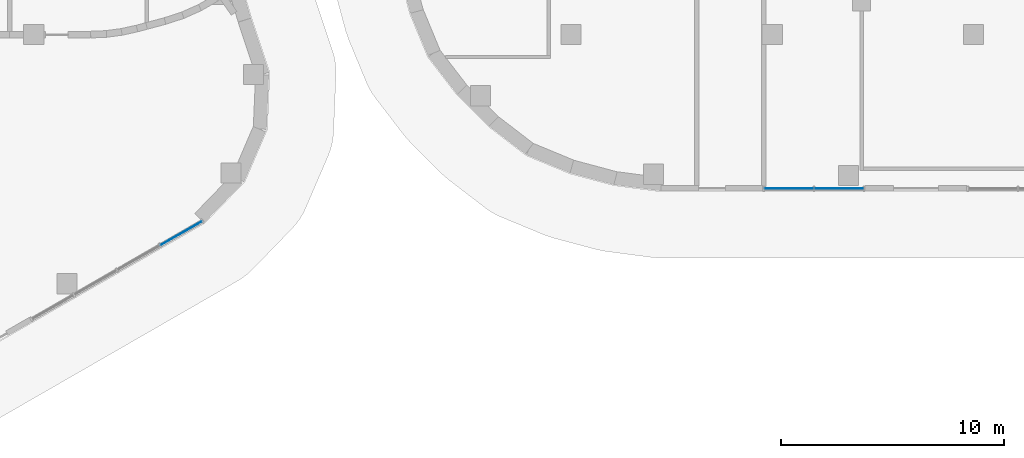
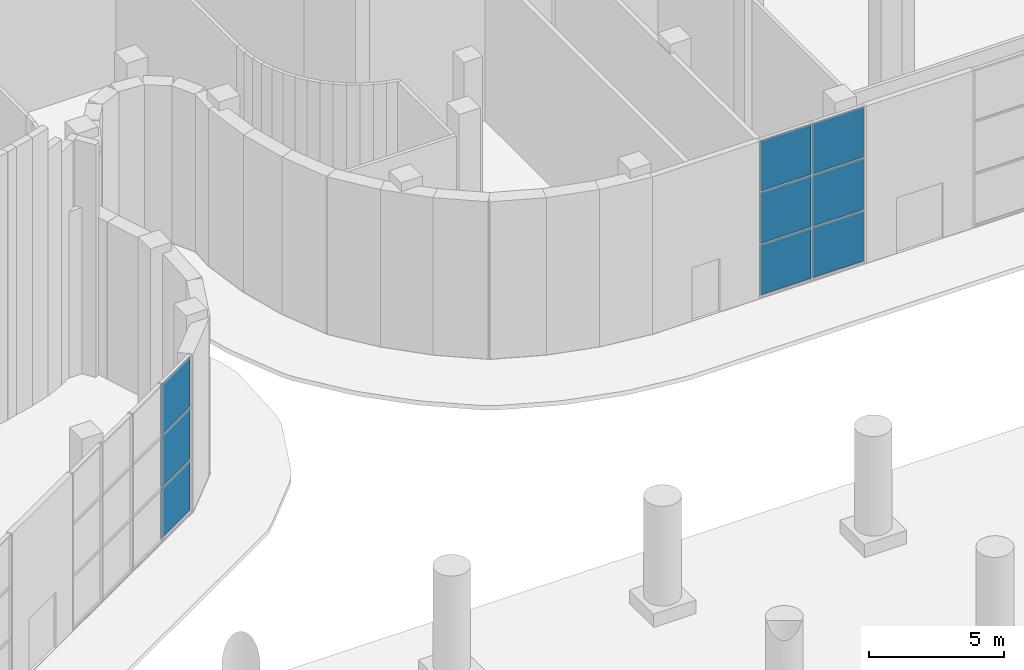
# One storey, part 9 of 30: 9 plates, 2 elements without a shape of their own.
"""IFC4 building model written with IfcOpenShell, lengths in metres."""

from ifc_helpers import new_model, si_unit, direction, frame, origin, origin_2d, place, context, subcontext, project, spatial, rectangle, extrude, material, layer, layer_set, type_object, element, aggregate, save


model = new_model("IFC4")

# Units and contexts
model_context = context("Model", 3, precision=1e-05, world=origin(), true_north=direction((0.0, 1.0)))
body_context = subcontext(model_context, "Body", "Model", "MODEL_VIEW")
ifc_project = project(units=[si_unit("LENGTHUNIT", "METRE"), si_unit("AREAUNIT", "SQUARE_METRE"), si_unit("VOLUMEUNIT", "CUBIC_METRE"), si_unit("PLANEANGLEUNIT", "RADIAN"), si_unit("MASSUNIT", "GRAM", prefix="KILO")], contexts=[model_context])

# Site, building, storey
site_placement = place(None, origin())
site = spatial("IfcSite", under=ifc_project, at=site_placement, CompositionType="ELEMENT")
building_placement = place(site_placement, origin())
building = spatial("IfcBuilding", under=site, at=building_placement, Name="Skarvind Civic Tower", CompositionType="ELEMENT")
storey_placement = place(building_placement, origin())
storey = spatial("IfcBuildingStorey", under=building, at=storey_placement, Name="L00", CompositionType="ELEMENT", Elevation=0.0)

# Curtain wall, plates
ifc_material_1 = material(Name="Aluminium alloy 6063 and laminated glass", Category="aluminium")
curtain_wall_type_1 = type_object("IfcCurtainWallType", Name="CW2 TOWER ENTRANCE LOBBY GLAZING", PredefinedType="NOTDEFINED", material=ifc_material_1)
curtain_wall_1_placement = place(storey_placement, origin())
curtain_wall_1 = element("IfcCurtainWall", 1, at=curtain_wall_1_placement, inside=storey, type_object=curtain_wall_type_1, Name="TOWER ENTRANCE LOBBY GLAZING", PredefinedType="NOTDEFINED")
ifc_material_2 = material(Name="Laminated low-iron glass", Category="glass")
ifc_layer_1 = layer(ifc_material_2, 0.031982421875)
ifc_layer_set_1 = layer_set([ifc_layer_1], Name="CW2 GLASS PANEL 32")
plate_type_1 = type_object("IfcPlateType", Name="CW2 GLASS PANEL 32", PredefinedType="CURTAIN_PANEL", material=ifc_layer_set_1)
plate_1_placement = place(storey_placement, frame((109.552734375, 100.10986328125, 0.070068359375), z_axis=(0.0, 0.0, 1.0), x_axis=(-0.866700058916, -0.498829638128, 0.0)))
plate_1 = element("IfcPlate", 2, at=plate_1_placement, type_object=plate_type_1, Name="CW2 panel 1.1", PredefinedType="CURTAIN_PANEL", context=body_context, shape_type="SweptSolid", body=[
    extrude(rectangle(XDim=2.119384765625, YDim=0.031982421875, at=origin_2d()), origin(), (0.0, 0.0, 1.0), 2.26171875),
])
plate_2_placement = place(storey_placement, frame((109.552734375, 100.10986328125, 2.40185546875), z_axis=(0.0, 0.0, 1.0), x_axis=(-0.866700058916, -0.498829638128, 0.0)))
plate_2 = element("IfcPlate", 3, at=plate_2_placement, type_object=plate_type_1, Name="CW2 panel 1.2", PredefinedType="CURTAIN_PANEL", context=body_context, shape_type="SweptSolid", body=[
    extrude(rectangle(XDim=2.119384765625, YDim=0.031982421875, at=origin_2d()), origin(), (0.0, 0.0, 1.0), 2.296630859375),
])
plate_3_placement = place(storey_placement, frame((109.552734375, 100.10986328125, 4.768310546875), z_axis=(0.0, 0.0, 1.0), x_axis=(-0.866700058916, -0.498829638128, 0.0)))
plate_3 = element("IfcPlate", 4, at=plate_3_placement, type_object=plate_type_1, Name="CW2 panel 1.3", PredefinedType="CURTAIN_PANEL", context=body_context, shape_type="SweptSolid", body=[
    extrude(rectangle(XDim=2.119384765625, YDim=0.031982421875, at=origin_2d()), origin(), (0.0, 0.0, 1.0), 2.26171875),
])
aggregate(curtain_wall_1, [plate_1, plate_2, plate_3])

curtain_wall_type_2 = type_object("IfcCurtainWallType", Name="CW6 COMPANION TOWER LOBBY GLAZING", PredefinedType="NOTDEFINED", material=ifc_material_1)
curtain_wall_2_placement = place(storey_placement, origin())
curtain_wall_2 = element("IfcCurtainWall", 5, at=curtain_wall_2_placement, inside=storey, type_object=curtain_wall_type_2, Name="COMPANION TOWER LOBBY GLAZING", PredefinedType="NOTDEFINED")
ifc_layer_2 = layer(ifc_material_2, 0.031982421875)
ifc_layer_set_2 = layer_set([ifc_layer_2], Name="CW6 GLASS PANEL 32")
plate_type_2 = type_object("IfcPlateType", Name="CW6 GLASS PANEL 32", PredefinedType="CURTAIN_PANEL", material=ifc_layer_set_2)
plate_4_placement = place(storey_placement, frame((138.993408203125, 102.110107421875, 0.070068359375), z_axis=(0.0, 0.0, 1.0), x_axis=(-1.0, 0.0, 0.0)))
plate_4 = element("IfcPlate", 6, at=plate_4_placement, type_object=plate_type_2, Name="CW6 panel 1.1", PredefinedType="CURTAIN_PANEL", context=body_context, shape_type="SweptSolid", body=[
    extrude(rectangle(XDim=2.177490234375, YDim=0.031982421875, at=origin_2d()), origin(), (0.0, 0.0, 1.0), 2.26171875),
])
plate_5_placement = place(storey_placement, frame((138.993408203125, 102.110107421875, 2.40185546875), z_axis=(0.0, 0.0, 1.0), x_axis=(-1.0, 0.0, 0.0)))
plate_5 = element("IfcPlate", 7, at=plate_5_placement, type_object=plate_type_2, Name="CW6 panel 1.2", PredefinedType="CURTAIN_PANEL", context=body_context, shape_type="SweptSolid", body=[
    extrude(rectangle(XDim=2.177490234375, YDim=0.031982421875, at=origin_2d()), origin(), (0.0, 0.0, 1.0), 2.296630859375),
])
plate_6_placement = place(storey_placement, frame((138.993408203125, 102.110107421875, 4.768310546875), z_axis=(0.0, 0.0, 1.0), x_axis=(-1.0, 0.0, 0.0)))
plate_6 = element("IfcPlate", 8, at=plate_6_placement, type_object=plate_type_2, Name="CW6 panel 1.3", PredefinedType="CURTAIN_PANEL", context=body_context, shape_type="SweptSolid", body=[
    extrude(rectangle(XDim=2.177490234375, YDim=0.031982421875, at=origin_2d()), origin(), (0.0, 0.0, 1.0), 2.26171875),
])
plate_7_placement = place(storey_placement, frame((136.745849609375, 102.110107421875, 0.070068359375), z_axis=(0.0, 0.0, 1.0), x_axis=(-1.0, 0.0, 0.0)))
plate_7 = element("IfcPlate", 9, at=plate_7_placement, type_object=plate_type_2, Name="CW6 panel 2.1", PredefinedType="CURTAIN_PANEL", context=body_context, shape_type="SweptSolid", body=[
    extrude(rectangle(XDim=2.177490234375, YDim=0.031982421875, at=origin_2d()), origin(), (0.0, 0.0, 1.0), 2.26171875),
])
plate_8_placement = place(storey_placement, frame((136.745849609375, 102.110107421875, 2.40185546875), z_axis=(0.0, 0.0, 1.0), x_axis=(-1.0, 0.0, 0.0)))
plate_8 = element("IfcPlate", 10, at=plate_8_placement, type_object=plate_type_2, Name="CW6 panel 2.2", PredefinedType="CURTAIN_PANEL", context=body_context, shape_type="SweptSolid", body=[
    extrude(rectangle(XDim=2.177490234375, YDim=0.031982421875, at=origin_2d()), origin(), (0.0, 0.0, 1.0), 2.296630859375),
])
plate_9_placement = place(storey_placement, frame((136.745849609375, 102.110107421875, 4.768310546875), z_axis=(0.0, 0.0, 1.0), x_axis=(-1.0, 0.0, 0.0)))
plate_9 = element("IfcPlate", 11, at=plate_9_placement, type_object=plate_type_2, Name="CW6 panel 2.3", PredefinedType="CURTAIN_PANEL", context=body_context, shape_type="SweptSolid", body=[
    extrude(rectangle(XDim=2.177490234375, YDim=0.031982421875, at=origin_2d()), origin(), (0.0, 0.0, 1.0), 2.26171875),
])
aggregate(curtain_wall_2, [plate_4, plate_5, plate_6, plate_7, plate_8, plate_9])

save(model, "model.ifc")
